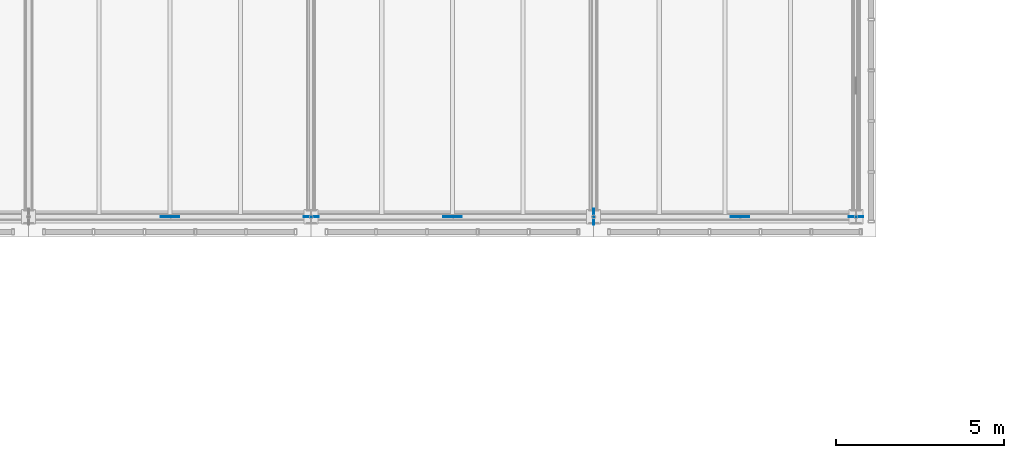
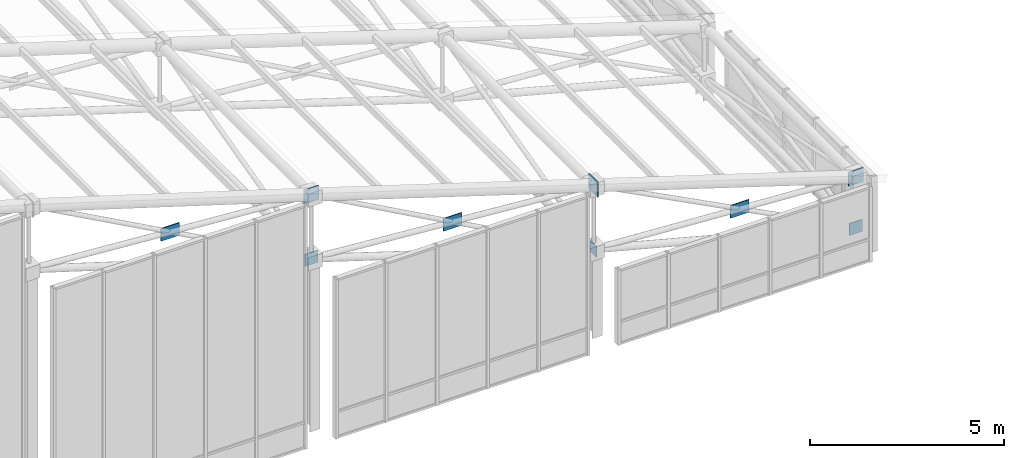
# One storey, part 115 of 144: 9 plates.
"""IFC4 building model written with IfcOpenShell, lengths in metres."""

from ifc_helpers import new_model, si_unit, direction, frame, origin, origin_2d, place, context, subcontext, project, spatial, rectangle, extrude, material, layer, layer_set, type_object, element, save


model = new_model("IFC4")

# Units and contexts
model_context = context("Model", 3, precision=1e-05, world=origin(), true_north=direction((0.0, 1.0)))
body_context = subcontext(model_context, "Body", "Model", "MODEL_VIEW")
ifc_project = project(units=[si_unit("LENGTHUNIT", "METRE"), si_unit("AREAUNIT", "SQUARE_METRE"), si_unit("VOLUMEUNIT", "CUBIC_METRE"), si_unit("PLANEANGLEUNIT", "RADIAN"), si_unit("MASSUNIT", "GRAM", prefix="KILO")], contexts=[model_context])

# Site, building, storey
site_placement = place(None, origin())
site = spatial("IfcSite", under=ifc_project, at=site_placement, CompositionType="ELEMENT")
building_placement = place(site_placement, origin())
building = spatial("IfcBuilding", under=site, at=building_placement, Name="Zayran Congress Hotel", CompositionType="ELEMENT")
storey_placement = place(building_placement, frame((0.0, 0.0, 19.199951171875)))
storey = spatial("IfcBuildingStorey", under=building, at=storey_placement, Name="L04", CompositionType="ELEMENT", Elevation=19.199951171875)

# Plates
ifc_material = material(Name="Steel S355", Category="steel")
ifc_layer_1 = layer(ifc_material, 0.02490234375)
ifc_layer_set_1 = layer_set([ifc_layer_1], Name="Steel S355")
plate_type_1 = type_object("IfcPlateType", Name="TP-SN-CP1", PredefinedType="USERDEFINED", material=ifc_layer_set_1)
for number, where, z_axis, x_axis, name in (
    (1, (75.60009765625, 68.199951171875, 7.08203125), (0.0, 0.0, 1.0), (1.0, 0.0, 0.0), "Space Frame Node Cap Plate 57"),
    (2, (91.800048828125, 68.199951171875, 1.971435546875), (0.0, 0.0, 1.0), (1.0, 0.0, 0.0), "Space Frame Node Cap Plate 71"),
):
    element("IfcPlate", number, at=place(storey_placement, frame(where, z_axis=z_axis, x_axis=x_axis)), inside=storey, type_object=plate_type_1, Name=name, ObjectType="GUSSET_PLATE", PredefinedType="USERDEFINED", context=body_context, shape_type="SweptSolid", body=[
        extrude(rectangle(XDim=0.43994140625, YDim=0.02490234375, at=origin_2d()), origin(), (0.0, 0.0, 1.0), 0.43994140625),
    ])
ifc_layer_2 = layer(ifc_material, 0.02490234375)
ifc_layer_set_2 = layer_set([ifc_layer_2], Name="Steel S355")
plate_type_2 = type_object("IfcPlateType", Name="TP-SN-CP2", PredefinedType="USERDEFINED", material=ifc_layer_set_2)
for number, where, z_axis, x_axis, name in (
    (3, (75.60009765625, 68.199951171875, 5.110107421875), (0.0, 0.0, 1.0), (1.0, 0.0, 0.0), "Space Frame Node Cap Plate 134"),
    (4, (91.800048828125, 68.199951171875, 0.41015625), (0.0, 0.0, 1.0), (1.0, 0.0, 0.0), "Space Frame Node Cap Plate 148"),
):
    element("IfcPlate", number, at=place(storey_placement, frame(where, z_axis=z_axis, x_axis=x_axis)), inside=storey, type_object=plate_type_2, Name=name, ObjectType="GUSSET_PLATE", PredefinedType="USERDEFINED", context=body_context, shape_type="SweptSolid", body=[
        extrude(rectangle(XDim=0.3798828125, YDim=0.02490234375, at=origin_2d()), origin(), (0.0, 0.0, 1.0), 0.3798828125),
    ])
ifc_layer_3 = layer(ifc_material, 0.02001953125)
ifc_layer_set_3 = layer_set([ifc_layer_3], Name="Steel S355")
plate_type_3 = type_object("IfcPlateType", Name="TP-SN-CP3", PredefinedType="USERDEFINED", material=ifc_layer_set_3)
plate_1_placement = place(storey_placement, frame((84.0, 68.199951171875, 2.47998046875), z_axis=(0.0, 0.0, 1.0), x_axis=(0.0, 1.0, 0.0)))
element("IfcPlate", 5, at=plate_1_placement, inside=storey, type_object=plate_type_3, Name="Space Frame Node Cap Plate 141", ObjectType="GUSSET_PLATE", PredefinedType="USERDEFINED", context=body_context, shape_type="SweptSolid", body=[
    extrude(rectangle(XDim=0.340087890625, YDim=0.02001953125, at=origin_2d()), origin(), (0.0, 0.0, 1.0), 0.340087890625),
])
ifc_layer_4 = layer(ifc_material, 0.028076171875)
ifc_layer_set_4 = layer_set([ifc_layer_4], Name="Steel S355")
plate_type_4 = type_object("IfcPlateType", Name="TP-SN-CP4", PredefinedType="USERDEFINED", material=ifc_layer_set_4)
plate_2_placement = place(storey_placement, frame((84.0, 68.199951171875, 4.412109375), z_axis=(0.0, 0.0, 1.0), x_axis=(0.0, 1.0, 0.0)))
element("IfcPlate", 6, at=plate_2_placement, inside=storey, type_object=plate_type_4, Name="Space Frame Node Cap Plate 64", ObjectType="GUSSET_PLATE", PredefinedType="USERDEFINED", context=body_context, shape_type="SweptSolid", body=[
    extrude(rectangle(XDim=0.47998046875, YDim=0.028076171875, at=origin_2d()), origin(), (0.0, 0.0, 1.0), 0.47998046875),
])
ifc_layer_5 = layer(ifc_material, 0.02490234375)
ifc_layer_set_5 = layer_set([ifc_layer_5], Name="Steel S355")
plate_type_5 = type_object("IfcPlateType", Name="TP-GS-01", PredefinedType="USERDEFINED", material=ifc_layer_set_5)
for number, where, z_axis, x_axis, name in (
    (7, (71.39990234375, 68.199951171875, 7.401123046875), (0.0, 0.0, 1.0), (1.0, 0.0, 0.0), "V1 Brace Crossing Gusset Plate 62"),
    (8, (79.800048828125, 68.199951171875, 4.776123046875), (0.0, 0.0, 1.0), (1.0, 0.0, 0.0), "V1 Brace Crossing Gusset Plate 69"),
    (9, (88.345703125, 68.199951171875, 2.194580078125), (0.0, 0.0, 1.0), (1.0, 0.0, 0.0), "V1 Brace Crossing Gusset Plate 76"),
):
    element("IfcPlate", number, at=place(storey_placement, frame(where, z_axis=z_axis, x_axis=x_axis)), inside=storey, type_object=plate_type_5, Name=name, ObjectType="GUSSET_PLATE", PredefinedType="USERDEFINED", context=body_context, shape_type="SweptSolid", body=[
        extrude(rectangle(XDim=0.550048828125, YDim=0.02490234375, at=origin_2d()), origin(), (0.0, 0.0, 1.0), 0.39990234375),
    ])

save(model, "model.ifc")
